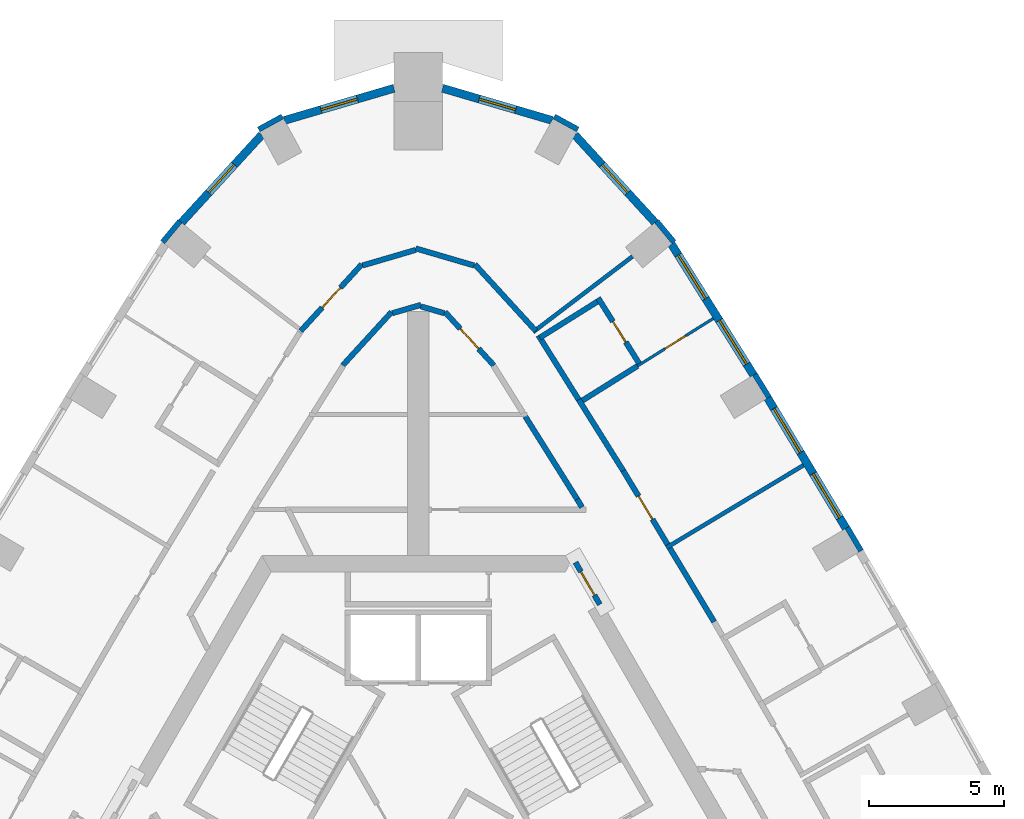
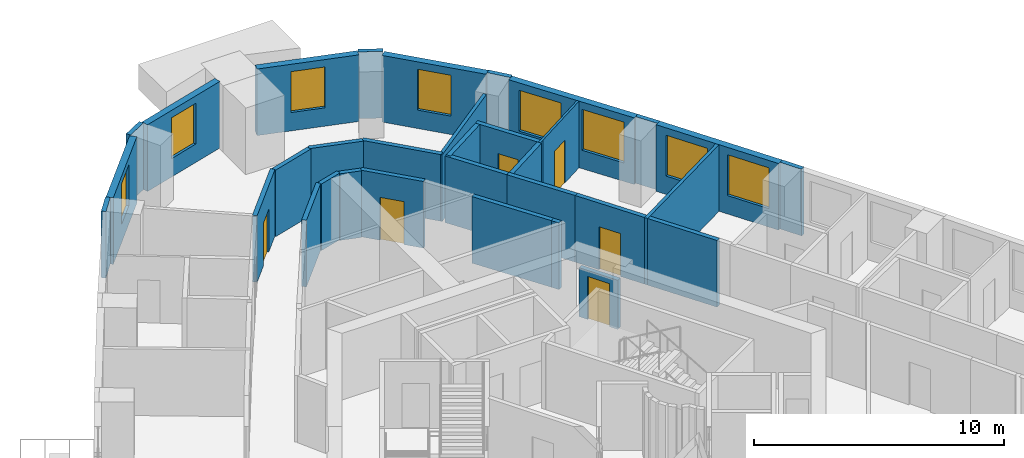
# One storey, part 9 of 13: 33 walls, 8 windows, 6 doors, 14 openings.
"""IFC4 building model written with IfcOpenShell, lengths in metres."""

from ifc_helpers import new_model, si_unit, direction, frame, frame_2d, origin, place, context, subcontext, project, spatial, rectangle, extrude, material, layer, layer_set, type_object, element, fill, save


model = new_model("IFC4")

# Units and contexts
model_context = context("Model", 3, precision=1e-05, world=origin(), true_north=direction((0.0, 1.0)))
body_context = subcontext(model_context, "Body", "Model", "MODEL_VIEW")
ifc_project = project(units=[si_unit("LENGTHUNIT", "METRE"), si_unit("AREAUNIT", "SQUARE_METRE"), si_unit("VOLUMEUNIT", "CUBIC_METRE"), si_unit("PLANEANGLEUNIT", "RADIAN"), si_unit("MASSUNIT", "GRAM", prefix="KILO")], contexts=[model_context])

# Site, building, storey
site_placement = place(None, origin())
site = spatial("IfcSite", under=ifc_project, at=site_placement, CompositionType="ELEMENT")
building_placement = place(site_placement, origin())
building = spatial("IfcBuilding", under=site, at=building_placement, Name="Entoto Arch Interchange Tower", CompositionType="ELEMENT")
storey_placement = place(building_placement, frame((0.0, 0.0, 270.199951171875)))
storey = spatial("IfcBuildingStorey", under=building, at=storey_placement, Name="L62", CompositionType="ELEMENT", Elevation=270.199951171875)

# Wall, opening, door
ifc_material_1 = material(Name="Reinforced concrete C40/50", Category="concrete")
ifc_layer_1 = layer(ifc_material_1, 0.199951171875)
ifc_layer_set_1 = layer_set([ifc_layer_1], Name="Reinforced concrete C40/50")
wall_type_1 = type_object("IfcWallType", Name="CORE GAP INFILL WALL", PredefinedType="PARTITIONING", material=ifc_layer_set_1)
wall_1_placement = place(storey_placement, frame((6.698974609375, 10.697021484375, 0.0), z_axis=(0.0, 0.0, 1.0), x_axis=(-0.499914839587, 0.866074565589, 0.0)))
wall_1 = element("IfcWall", 1, at=wall_1_placement, inside=storey, type_object=wall_type_1, Name="wall:L62:gap2", PredefinedType="PARTITIONING", context=body_context, shape_type="SweptSolid", body=[
    extrude(rectangle(XDim=1.794189453125, YDim=0.199951171875, at=frame_2d((0.89697265625, 0.0))), origin(), (0.0, 0.0, 1.0), 2.400146484375),
])
opening_1_placement = place(wall_1_placement, frame((0.39697265625, 0.0, 0.0)))
opening_1 = element("IfcOpeningElement", 2, at=opening_1_placement, cuts=wall_1, Name="Opening L62-D92", PredefinedType="OPENING", context=body_context, shape_type="SweptSolid", body=[
    extrude(rectangle(XDim=1.0, YDim=2.10009765625, at=frame_2d((0.5, 1.050048828125))), frame((0.0, 0.10986328125, 0.0), z_axis=(0.0, -1.0, 0.0), x_axis=(1.0, 0.0, 0.0)), (0.0, 0.0, 1.0), 0.219970703125),
])
ifc_material_2 = material(Name="Fire-rated Steel S235 door and frame", Category="steel")
door_type_1 = type_object("IfcDoorType", Name="DOOR FD-10 1000x2100", OperationType="SINGLE_SWING_LEFT", PredefinedType="DOOR", material=ifc_material_2)
door_1_placement = place(opening_1_placement, origin())
door_1 = element("IfcDoor", 3, at=door_1_placement, inside=storey, type_object=door_type_1, Name="door:L62:gap2", OperationType="SINGLE_SWING_LEFT", OverallHeight=2.10009765625, OverallWidth=1.0, PredefinedType="DOOR", context=body_context, shape_type="SweptSolid", body=[
    extrude(rectangle(XDim=1.0, YDim=2.10009765625, at=frame_2d((0.5, 1.050048828125))), frame((0.0, 0.02490234375, 0.0), z_axis=(0.0, -1.0, 0.0), x_axis=(1.0, 0.0, 0.0)), (0.0, 0.0, 1.0), 0.050048828125),
])
fill(opening_1, door_1)

ifc_material_3 = material(Name="Gypsum board partition on steel studs", Category="steel")
ifc_layer_2 = layer(ifc_material_3, 0.10009765625)
ifc_layer_set_2 = layer_set([ifc_layer_2], Name="Gypsum board partition on steel studs")
wall_type_2 = type_object("IfcWallType", Name="PARTITION 100", PredefinedType="PARTITIONING", material=ifc_layer_set_2)
wall_2_placement = place(storey_placement, frame((8.091064453125, 19.4990234375, 0.0), z_axis=(0.0, 0.0, 1.0), x_axis=(0.847249319986, 0.53119543464, 0.0)))
wall_2 = element("IfcWall", 4, at=wall_2_placement, inside=storey, type_object=wall_type_2, Name="wall:L62:p123", PredefinedType="PARTITIONING", context=body_context, shape_type="SweptSolid", body=[
    extrude(rectangle(XDim=3.300048828125, YDim=0.10009765625, at=frame_2d((1.64990234375, 0.0))), origin(), (0.0, 0.0, 1.0), 3.260009765625),
])
opening_2_placement = place(wall_2_placement, frame((1.199951171875, 0.0, 0.0)))
opening_2 = element("IfcOpeningElement", 5, at=opening_2_placement, cuts=wall_2, Name="Opening L62-D08", PredefinedType="OPENING", context=body_context, shape_type="SweptSolid", body=[
    extrude(rectangle(XDim=0.89990234375, YDim=2.10009765625, at=frame_2d((0.449951171875, 1.050048828125))), frame((0.0, 0.06005859375, 0.0), z_axis=(0.0, -1.0, 0.0), x_axis=(1.0, 0.0, 0.0)), (0.0, 0.0, 1.0), 0.1201171875),
])
ifc_material_4 = material(Name="Timber door leaf in Steel S235 frame", Category="steel")
door_type_2 = type_object("IfcDoorType", Name="DOOR DS-09 900x2100", OperationType="SINGLE_SWING_LEFT", PredefinedType="DOOR", material=ifc_material_4)
door_2_placement = place(opening_2_placement, origin())
door_2 = element("IfcDoor", 6, at=door_2_placement, inside=storey, type_object=door_type_2, Name="door:L62:08", OperationType="SINGLE_SWING_LEFT", OverallHeight=2.10009765625, OverallWidth=0.89990234375, PredefinedType="DOOR", context=body_context, shape_type="SweptSolid", body=[
    extrude(rectangle(XDim=0.89990234375, YDim=2.10009765625, at=frame_2d((0.449951171875, 1.050048828125))), frame((0.0, 0.02490234375, 0.0), z_axis=(0.0, -1.0, 0.0), x_axis=(1.0, 0.0, 0.0)), (0.0, 0.0, 1.0), 0.050048828125),
])
fill(opening_2, door_2)

# Walls
ifc_layer_3 = layer(ifc_material_3, 0.14990234375)
ifc_layer_set_3 = layer_set([ifc_layer_3], Name="Gypsum board partition on steel studs")
wall_type_3 = type_object("IfcWallType", Name="PARTITION 150", PredefinedType="PARTITIONING", material=ifc_layer_set_3)
wall_3_placement = place(storey_placement, frame((9.156982421875, 12.7919921875, 0.0), z_axis=(0.0, 0.0, 1.0), x_axis=(0.856933793276, 0.515426497129, 0.0)))
element("IfcWall", 7, at=wall_3_placement, inside=storey, type_object=wall_type_3, Name="wall:L62:p122", PredefinedType="PARTITIONING", context=body_context, shape_type="SweptSolid", body=[
    extrude(rectangle(XDim=5.89990234375, YDim=0.14990234375, at=frame_2d((2.949951171875, 0.0))), origin(), (0.0, 0.0, 1.0), 3.260009765625),
])
wall_4_placement = place(storey_placement, frame((4.238037109375, 20.7509765625, 0.0), z_axis=(0.0, 0.0, 1.0), x_axis=(0.795806473987, 0.605551034976, 0.0)))
element("IfcWall", 8, at=wall_4_placement, inside=storey, type_object=wall_type_3, Name="wall:L62:p127", PredefinedType="PARTITIONING", context=body_context, shape_type="SweptSolid", body=[
    extrude(rectangle(XDim=4.604248046875, YDim=0.14990234375, at=frame_2d((2.30224609375, 0.0))), origin(), (0.0, 0.0, 1.0), 3.260009765625),
])
ifc_layer_4 = layer(ifc_material_3, 0.199951171875)
ifc_layer_set_4 = layer_set([ifc_layer_4], Name="Gypsum board partition on steel studs")
wall_type_4 = type_object("IfcWallType", Name="PARTITION 200", PredefinedType="PARTITIONING", material=ifc_layer_set_4)
wall_5_placement = place(storey_placement, frame((6.041015625, 14.285888671875, 0.0), z_axis=(0.0, 0.0, 1.0), x_axis=(-0.513873647624, 0.857865883619, 0.0)))
element("IfcWall", 9, at=wall_5_placement, inside=storey, type_object=wall_type_4, Name="wall:L62:p010", PredefinedType="PARTITIONING", context=body_context, shape_type="SweptSolid", body=[
    extrude(rectangle(XDim=0.346435546875, YDim=0.199951171875, at=frame_2d((0.17333984375, 0.0))), origin(), (0.0, 0.0, 1.0), 3.260009765625),
])
wall_6_placement = place(storey_placement, frame((5.863037109375, 14.5830078125, 0.0), z_axis=(0.0, 0.0, 1.0), x_axis=(-0.531380509042, 0.847133256702, 0.0)))
element("IfcWall", 10, at=wall_6_placement, inside=storey, type_object=wall_type_4, Name="wall:L62:p011", PredefinedType="PARTITIONING", context=body_context, shape_type="SweptSolid", body=[
    extrude(rectangle(XDim=3.60400390625, YDim=0.199951171875, at=frame_2d((1.802001953125, 0.0))), origin(), (0.0, 0.0, 1.0), 3.260009765625),
])

# Wall, opening, door
wall_7_placement = place(storey_placement, frame((2.787109375, 19.52197265625, 0.0), z_axis=(0.0, 0.0, 1.0), x_axis=(-0.675132105979, 0.73769684795, 0.0)))
wall_7 = element("IfcWall", 11, at=wall_7_placement, inside=storey, type_object=wall_type_4, Name="wall:L62:p015", PredefinedType="PARTITIONING", context=body_context, shape_type="SweptSolid", body=[
    extrude(rectangle(XDim=2.669189453125, YDim=0.199951171875, at=frame_2d((1.33447265625, 0.0))), origin(), (0.0, 0.0, 1.0), 3.260009765625),
])
opening_3_placement = place(wall_7_placement, frame((0.8349609375, 0.0, 0.0)))
opening_3 = element("IfcOpeningElement", 12, at=opening_3_placement, cuts=wall_7, Name="Opening L62-D28", PredefinedType="OPENING", context=body_context, shape_type="SweptSolid", body=[
    extrude(rectangle(XDim=1.0, YDim=2.10009765625, at=frame_2d((0.5, 1.050048828125))), frame((0.0, 0.10986328125, 0.0), z_axis=(0.0, -1.0, 0.0), x_axis=(1.0, 0.0, 0.0)), (0.0, 0.0, 1.0), 0.219970703125),
])
door_type_3 = type_object("IfcDoorType", Name="DOOR DS-10 1000x2100", OperationType="SINGLE_SWING_LEFT", PredefinedType="DOOR", material=ifc_material_4)
door_3_placement = place(opening_3_placement, origin())
door_3 = element("IfcDoor", 13, at=door_3_placement, inside=storey, type_object=door_type_3, Name="door:L62:28", OperationType="SINGLE_SWING_LEFT", OverallHeight=2.10009765625, OverallWidth=1.0, PredefinedType="DOOR", context=body_context, shape_type="SweptSolid", body=[
    extrude(rectangle(XDim=1.0, YDim=2.10009765625, at=frame_2d((0.5, 1.050048828125))), frame((0.0, 0.02490234375, 0.0), z_axis=(0.0, -1.0, 0.0), x_axis=(1.0, 0.0, 0.0)), (0.0, 0.0, 1.0), 0.050048828125),
])
fill(opening_3, door_3)

# Walls
wall_8_placement = place(storey_placement, frame((0.95703125, 21.446044921875, 0.0), z_axis=(0.0, 0.0, 1.0), x_axis=(-0.959758875404, 0.28082539252, 0.0)))
element("IfcWall", 14, at=wall_8_placement, inside=storey, type_object=wall_type_4, Name="wall:L62:p016", PredefinedType="PARTITIONING", context=body_context, shape_type="SweptSolid", body=[
    extrude(rectangle(XDim=0.897216796875, YDim=0.199951171875, at=frame_2d((0.44873046875, 0.0))), origin(), (0.0, 0.0, 1.0), 3.260009765625),
])
wall_9_placement = place(storey_placement, frame((0.095947265625, 21.75390625, 0.0), z_axis=(0.0, 0.0, 1.0), x_axis=(-0.959817848073, -0.280623766849, 0.0)))
element("IfcWall", 15, at=wall_9_placement, inside=storey, type_object=wall_type_4, Name="wall:L62:p017", PredefinedType="PARTITIONING", context=body_context, shape_type="SweptSolid", body=[
    extrude(rectangle(XDim=1.09716796875, YDim=0.199951171875, at=frame_2d((0.548583984375, 0.0))), origin(), (0.0, 0.0, 1.0), 3.260009765625),
])
wall_10_placement = place(storey_placement, frame((-0.985107421875, 21.490966796875, 0.0), z_axis=(0.0, 0.0, 1.0), x_axis=(-0.675132105979, -0.73769684795, 0.0)))
element("IfcWall", 16, at=wall_10_placement, inside=storey, type_object=wall_type_4, Name="wall:L62:p018", PredefinedType="PARTITIONING", context=body_context, shape_type="SweptSolid", body=[
    extrude(rectangle(XDim=2.669189453125, YDim=0.199951171875, at=frame_2d((1.33447265625, 0.0))), origin(), (0.0, 0.0, 1.0), 3.260009765625),
])
wall_11_placement = place(storey_placement, frame((9.281005859375, 12.779052734375, 0.0), z_axis=(0.0, 0.0, 1.0), x_axis=(0.515568955032, -0.856848091908, 0.0)))
element("IfcWall", 17, at=wall_11_placement, inside=storey, type_object=wall_type_4, Name="wall:L62:p047", PredefinedType="PARTITIONING", context=body_context, shape_type="SweptSolid", body=[
    extrude(rectangle(XDim=3.177001953125, YDim=0.199951171875, at=frame_2d((1.58837890625, 0.0))), origin(), (0.0, 0.0, 1.0), 3.260009765625),
])
wall_12_placement = place(storey_placement, frame((5.919921875, 18.256103515625, 0.0), z_axis=(0.0, 0.0, 1.0), x_axis=(0.531152062518, -0.84727651123, 0.0)))
element("IfcWall", 18, at=wall_12_placement, inside=storey, type_object=wall_type_4, Name="wall:L62:p050", PredefinedType="PARTITIONING", context=body_context, shape_type="SweptSolid", body=[
    extrude(rectangle(XDim=3.100830078125, YDim=0.199951171875, at=frame_2d((1.55029296875, 0.0))), origin(), (0.0, 0.0, 1.0), 3.260009765625),
])

# Wall, opening, door
wall_13_placement = place(storey_placement, frame((7.56689453125, 15.62890625, 0.0), z_axis=(0.0, 0.0, 1.0), x_axis=(0.51556943596, -0.856847802532, 0.0)))
wall_13 = element("IfcWall", 19, at=wall_13_placement, inside=storey, type_object=wall_type_4, Name="wall:L62:p051", PredefinedType="PARTITIONING", context=body_context, shape_type="SweptSolid", body=[
    extrude(rectangle(XDim=3.175537109375, YDim=0.199951171875, at=frame_2d((1.587890625, 0.0))), origin(), (0.0, 0.0, 1.0), 3.260009765625),
])
opening_4_placement = place(wall_13_placement, frame((1.087890625, 0.0, 0.0)))
opening_4 = element("IfcOpeningElement", 20, at=opening_4_placement, cuts=wall_13, Name="Opening L62-D07", PredefinedType="OPENING", context=body_context, shape_type="SweptSolid", body=[
    extrude(rectangle(XDim=1.0, YDim=2.10009765625, at=frame_2d((0.5, 1.050048828125))), frame((0.0, 0.10986328125, 0.0), z_axis=(0.0, -1.0, 0.0), x_axis=(1.0, 0.0, 0.0)), (0.0, 0.0, 1.0), 0.219970703125),
])
door_4_placement = place(opening_4_placement, origin())
door_4 = element("IfcDoor", 21, at=door_4_placement, inside=storey, type_object=door_type_1, Name="door:L62:07", OperationType="SINGLE_SWING_RIGHT", OverallHeight=2.10009765625, OverallWidth=1.0, PredefinedType="DOOR", context=body_context, shape_type="SweptSolid", body=[
    extrude(rectangle(XDim=1.0, YDim=2.10009765625, at=frame_2d((0.5, 1.050048828125))), frame((0.0, 0.02490234375, 0.0), z_axis=(0.0, -1.0, 0.0), x_axis=(1.0, 0.0, 0.0)), (0.0, 0.0, 1.0), 0.050048828125),
])
fill(opening_4, door_4)

# Wall
wall_14_placement = place(storey_placement, frame((4.43310546875, 20.6279296875, 0.0), z_axis=(0.0, 0.0, 1.0), x_axis=(0.531135189756, -0.84728708842, 0.0)))
element("IfcWall", 22, at=wall_14_placement, inside=storey, type_object=wall_type_4, Name="wall:L62:p052", PredefinedType="PARTITIONING", context=body_context, shape_type="SweptSolid", body=[
    extrude(rectangle(XDim=2.79931640625, YDim=0.199951171875, at=frame_2d((1.399658203125, 0.0))), origin(), (0.0, 0.0, 1.0), 3.260009765625),
])

# Wall, opening, door
wall_15_placement = place(storey_placement, frame((-4.3349609375, 20.79296875, 0.0), z_axis=(0.0, 0.0, 1.0), x_axis=(0.675074517272, 0.737749548377, 0.0)))
wall_15 = element("IfcWall", 23, at=wall_15_placement, inside=storey, type_object=wall_type_4, Name="wall:L62:p053", PredefinedType="PARTITIONING", context=body_context, shape_type="SweptSolid", body=[
    extrude(rectangle(XDim=3.33447265625, YDim=0.199951171875, at=frame_2d((1.667236328125, 0.0))), origin(), (0.0, 0.0, 1.0), 3.260009765625),
])
opening_5_placement = place(wall_15_placement, frame((1.1669921875, 0.0, 0.0)))
opening_5 = element("IfcOpeningElement", 24, at=opening_5_placement, cuts=wall_15, Name="Opening L62-D21", PredefinedType="OPENING", context=body_context, shape_type="SweptSolid", body=[
    extrude(rectangle(XDim=1.0, YDim=2.10009765625, at=frame_2d((0.5, 1.050048828125))), frame((0.0, 0.10986328125, 0.0), z_axis=(0.0, -1.0, 0.0), x_axis=(1.0, 0.0, 0.0)), (0.0, 0.0, 1.0), 0.219970703125),
])
door_5_placement = place(opening_5_placement, origin())
door_5 = element("IfcDoor", 25, at=door_5_placement, inside=storey, type_object=door_type_3, Name="door:L62:21", OperationType="SINGLE_SWING_LEFT", OverallHeight=2.10009765625, OverallWidth=1.0, PredefinedType="DOOR", context=body_context, shape_type="SweptSolid", body=[
    extrude(rectangle(XDim=1.0, YDim=2.10009765625, at=frame_2d((0.5, 1.050048828125))), frame((0.0, 0.02490234375, 0.0), z_axis=(0.0, -1.0, 0.0), x_axis=(1.0, 0.0, 0.0)), (0.0, 0.0, 1.0), 0.050048828125),
])
fill(opening_5, door_5)

# Walls
wall_16_placement = place(storey_placement, frame((-2.054931640625, 23.2080078125, 0.0), z_axis=(0.0, 0.0, 1.0), x_axis=(0.959656367963, 0.281175488669, 0.0)))
element("IfcWall", 26, at=wall_16_placement, inside=storey, type_object=wall_type_4, Name="wall:L62:p054", PredefinedType="PARTITIONING", context=body_context, shape_type="SweptSolid", body=[
    extrude(rectangle(XDim=2.041259765625, YDim=0.199951171875, at=frame_2d((1.0205078125, 0.0))), origin(), (0.0, 0.0, 1.0), 3.260009765625),
])
wall_17_placement = place(storey_placement, frame((-0.095947265625, 23.837890625, 0.0), z_axis=(0.0, 0.0, 1.0), x_axis=(0.959694419707, -0.281045584886, 0.0)))
element("IfcWall", 27, at=wall_17_placement, inside=storey, type_object=wall_type_4, Name="wall:L62:p055", PredefinedType="PARTITIONING", context=body_context, shape_type="SweptSolid", body=[
    extrude(rectangle(XDim=2.2412109375, YDim=0.199951171875, at=frame_2d((1.12060546875, 0.0))), origin(), (0.0, 0.0, 1.0), 3.260009765625),
])
wall_18_placement = place(storey_placement, frame((2.083984375, 23.2529296875, 0.0), z_axis=(0.0, 0.0, 1.0), x_axis=(0.675074517272, -0.737749548377, 0.0)))
element("IfcWall", 28, at=wall_18_placement, inside=storey, type_object=wall_type_4, Name="wall:L62:p056", PredefinedType="PARTITIONING", context=body_context, shape_type="SweptSolid", body=[
    extrude(rectangle(XDim=3.33447265625, YDim=0.199951171875, at=frame_2d((1.667236328125, 0.0))), origin(), (0.0, 0.0, 1.0), 3.260009765625),
])
wall_19_placement = place(storey_placement, frame((6.05810546875, 18.22412109375, 0.0), z_axis=(0.0, 0.0, 1.0), x_axis=(0.847191403331, 0.531287799711, 0.0)))
element("IfcWall", 29, at=wall_19_placement, inside=storey, type_object=wall_type_4, Name="wall:L62:p124", PredefinedType="PARTITIONING", context=body_context, shape_type="SweptSolid", body=[
    extrude(rectangle(XDim=2.399658203125, YDim=0.199951171875, at=frame_2d((1.19970703125, 0.0))), origin(), (0.0, 0.0, 1.0), 3.260009765625),
])

# Wall, opening, door
wall_20_placement = place(storey_placement, frame((8.202880859375, 19.510009765625, 0.0), z_axis=(0.0, 0.0, 1.0), x_axis=(-0.531218552952, 0.847234825181, 0.0)))
wall_20 = element("IfcWall", 30, at=wall_20_placement, inside=storey, type_object=wall_type_4, Name="wall:L62:p125", PredefinedType="PARTITIONING", context=body_context, shape_type="SweptSolid", body=[
    extrude(rectangle(XDim=2.94970703125, YDim=0.199951171875, at=frame_2d((1.474853515625, 0.0))), origin(), (0.0, 0.0, 1.0), 3.260009765625),
])
opening_6_placement = place(wall_20_placement, frame((1.02490234375, 0.0, 0.0)))
opening_6 = element("IfcOpeningElement", 31, at=opening_6_placement, cuts=wall_20, Name="Opening L62-D09", PredefinedType="OPENING", context=body_context, shape_type="SweptSolid", body=[
    extrude(rectangle(XDim=0.89990234375, YDim=2.10009765625, at=frame_2d((0.449951171875, 1.050048828125))), frame((0.0, 0.10986328125, 0.0), z_axis=(0.0, -1.0, 0.0), x_axis=(1.0, 0.0, 0.0)), (0.0, 0.0, 1.0), 0.219970703125),
])
door_6_placement = place(opening_6_placement, origin())
door_6 = element("IfcDoor", 32, at=door_6_placement, inside=storey, type_object=door_type_2, Name="door:L62:09", OperationType="SINGLE_SWING_RIGHT", OverallHeight=2.10009765625, OverallWidth=0.89990234375, PredefinedType="DOOR", context=body_context, shape_type="SweptSolid", body=[
    extrude(rectangle(XDim=0.89990234375, YDim=2.10009765625, at=frame_2d((0.449951171875, 1.050048828125))), frame((0.0, 0.02490234375, 0.0), z_axis=(0.0, -1.0, 0.0), x_axis=(1.0, 0.0, 0.0)), (0.0, 0.0, 1.0), 0.050048828125),
])
fill(opening_6, door_6)

# Wall
wall_21_placement = place(storey_placement, frame((6.60400390625, 21.87109375, 0.0), z_axis=(0.0, 0.0, 1.0), x_axis=(-0.847377617561, -0.530990746866, 0.0)))
element("IfcWall", 33, at=wall_21_placement, inside=storey, type_object=wall_type_4, Name="wall:L62:p126", PredefinedType="PARTITIONING", context=body_context, shape_type="SweptSolid", body=[
    extrude(rectangle(XDim=2.499267578125, YDim=0.199951171875, at=frame_2d((1.24951171875, 0.0))), origin(), (0.0, 0.0, 1.0), 3.260009765625),
])

# Wall, openings, windows
ifc_material_5 = material(Name="Welded tuff (ignimbrite) cladding, warm buff", Category="masonry")
ifc_layer_5 = layer(ifc_material_5, 0.300048828125)
ifc_layer_set_5 = layer_set([ifc_layer_5], Name="Welded tuff (ignimbrite) cladding, warm buff")
wall_type_5 = type_object("IfcWallType", Name="STONE INFILL WALL 300", PredefinedType="STANDARD", material=ifc_layer_set_5)
wall_22_placement = place(storey_placement, frame((15.7880859375, 13.506103515625, 0.0), z_axis=(0.0, 0.0, 1.0), x_axis=(-0.515435742129, 0.856928232547, 0.0)))
wall_22 = element("IfcWall", 34, at=wall_22_placement, inside=storey, type_object=wall_type_5, Name="Facade wall NE-04 L62", PredefinedType="STANDARD", context=body_context, shape_type="SweptSolid", body=[
    extrude(rectangle(XDim=5.61279296875, YDim=0.300048828125, at=frame_2d((2.806396484375, 0.0))), origin(), (0.0, 0.0, 1.0), 3.260009765625),
])
opening_7_placement = place(wall_22_placement, frame((0.452880859375, 0.0, 0.89990234375)))
opening_7 = element("IfcOpeningElement", 35, at=opening_7_placement, cuts=wall_22, Name="Opening WH-C", PredefinedType="OPENING", context=body_context, shape_type="SweptSolid", body=[
    extrude(rectangle(XDim=1.89990234375, YDim=2.0, at=frame_2d((0.949951171875, 1.0))), frame((0.0, 0.16015625, 0.0), z_axis=(0.0, -1.0, 0.0), x_axis=(1.0, 0.0, 0.0)), (0.0, 0.0, 1.0), 0.320068359375),
])
opening_8_placement = place(wall_22_placement, frame((3.260009765625, 0.0, 0.89990234375)))
opening_8 = element("IfcOpeningElement", 36, at=opening_8_placement, cuts=wall_22, Name="Opening WH-C", PredefinedType="OPENING", context=body_context, shape_type="SweptSolid", body=[
    extrude(rectangle(XDim=1.89990234375, YDim=2.0, at=frame_2d((0.949951171875, 1.0))), frame((0.0, 0.16015625, 0.0), z_axis=(0.0, -1.0, 0.0), x_axis=(1.0, 0.0, 0.0)), (0.0, 0.0, 1.0), 0.320068359375),
])
ifc_material_6 = material(Name="Clear glass, low-e double glazed", Category="glass")
window_type_1 = type_object("IfcWindowType", Name="WINDOW WH-C 1900x2000", PartitioningType="DOUBLE_PANEL_VERTICAL", PredefinedType="WINDOW", material=ifc_material_6)
window_1_placement = place(opening_7_placement, origin())
window_1 = element("IfcWindow", 37, at=window_1_placement, inside=storey, type_object=window_type_1, Name="Window WH-C NE-04 L62", OverallHeight=2.0, OverallWidth=1.89990234375, PartitioningType="SINGLE_PANEL", PredefinedType="WINDOW", context=body_context, shape_type="SweptSolid", body=[
    extrude(rectangle(XDim=1.89990234375, YDim=2.0, at=frame_2d((0.949951171875, 1.0))), frame((0.0, 0.030029296875, 0.0), z_axis=(0.0, -1.0, 0.0), x_axis=(1.0, 0.0, 0.0)), (0.0, 0.0, 1.0), 0.06005859375),
])
fill(opening_7, window_1)
window_2_placement = place(opening_8_placement, origin())
window_2 = element("IfcWindow", 38, at=window_2_placement, inside=storey, type_object=window_type_1, Name="Window WH-C NE-04 L62", OverallHeight=2.0, OverallWidth=1.89990234375, PartitioningType="SINGLE_PANEL", PredefinedType="WINDOW", context=body_context, shape_type="SweptSolid", body=[
    extrude(rectangle(XDim=1.89990234375, YDim=2.0, at=frame_2d((0.949951171875, 1.0))), frame((0.0, 0.030029296875, 0.0), z_axis=(0.0, -1.0, 0.0), x_axis=(1.0, 0.0, 0.0)), (0.0, 0.0, 1.0), 0.06005859375),
])
fill(opening_8, window_2)

wall_23_placement = place(storey_placement, frame((12.3720703125, 19.166015625, 0.0), z_axis=(0.0, 0.0, 1.0), x_axis=(-0.531137483242, 0.847285650708, 0.0)))
wall_23 = element("IfcWall", 39, at=wall_23_placement, inside=storey, type_object=wall_type_5, Name="Facade wall NE-05 L62", PredefinedType="STANDARD", context=body_context, shape_type="SweptSolid", body=[
    extrude(rectangle(XDim=5.702880859375, YDim=0.300048828125, at=frame_2d((2.8515625, 0.0))), origin(), (0.0, 0.0, 1.0), 3.260009765625),
])
opening_9_placement = place(wall_23_placement, frame((0.47607421875, 0.0, 0.89990234375)))
opening_9 = element("IfcOpeningElement", 40, at=opening_9_placement, cuts=wall_23, Name="Opening WH-C", PredefinedType="OPENING", context=body_context, shape_type="SweptSolid", body=[
    extrude(rectangle(XDim=1.89990234375, YDim=2.0, at=frame_2d((0.949951171875, 1.0))), frame((0.0, 0.16015625, 0.0), z_axis=(0.0, -1.0, 0.0), x_axis=(1.0, 0.0, 0.0)), (0.0, 0.0, 1.0), 0.320068359375),
])
opening_10_placement = place(wall_23_placement, frame((3.326904296875, 0.0, 0.89990234375)))
opening_10 = element("IfcOpeningElement", 41, at=opening_10_placement, cuts=wall_23, Name="Opening WH-C", PredefinedType="OPENING", context=body_context, shape_type="SweptSolid", body=[
    extrude(rectangle(XDim=1.89990234375, YDim=2.0, at=frame_2d((0.949951171875, 1.0))), frame((0.0, 0.16015625, 0.0), z_axis=(0.0, -1.0, 0.0), x_axis=(1.0, 0.0, 0.0)), (0.0, 0.0, 1.0), 0.320068359375),
])
window_3_placement = place(opening_9_placement, origin())
window_3 = element("IfcWindow", 42, at=window_3_placement, inside=storey, type_object=window_type_1, Name="Window WH-C NE-05 L62", OverallHeight=2.0, OverallWidth=1.89990234375, PartitioningType="SINGLE_PANEL", PredefinedType="WINDOW", context=body_context, shape_type="SweptSolid", body=[
    extrude(rectangle(XDim=1.89990234375, YDim=2.0, at=frame_2d((0.949951171875, 1.0))), frame((0.0, 0.030029296875, 0.0), z_axis=(0.0, -1.0, 0.0), x_axis=(1.0, 0.0, 0.0)), (0.0, 0.0, 1.0), 0.06005859375),
])
fill(opening_9, window_3)
window_4_placement = place(opening_10_placement, origin())
window_4 = element("IfcWindow", 43, at=window_4_placement, inside=storey, type_object=window_type_1, Name="Window WH-C NE-05 L62", OverallHeight=2.0, OverallWidth=1.89990234375, PartitioningType="SINGLE_PANEL", PredefinedType="WINDOW", context=body_context, shape_type="SweptSolid", body=[
    extrude(rectangle(XDim=1.89990234375, YDim=2.0, at=frame_2d((0.949951171875, 1.0))), frame((0.0, 0.030029296875, 0.0), z_axis=(0.0, -1.0, 0.0), x_axis=(1.0, 0.0, 0.0)), (0.0, 0.0, 1.0), 0.06005859375),
])
fill(opening_10, window_4)

# Wall, opening, window
wall_24_placement = place(storey_placement, frame((8.739013671875, 24.7939453125, 0.0), z_axis=(0.0, 0.0, 1.0), x_axis=(-0.675143863554, 0.737686087374, 0.0)))
wall_24 = element("IfcWall", 44, at=wall_24_placement, inside=storey, type_object=wall_type_5, Name="Facade wall N-01 L62", PredefinedType="STANDARD", context=body_context, shape_type="SweptSolid", body=[
    extrude(rectangle(XDim=4.3798828125, YDim=0.300048828125, at=frame_2d((2.18994140625, 0.0))), origin(), (0.0, 0.0, 1.0), 3.260009765625),
])
opening_11_placement = place(wall_24_placement, frame((1.489990234375, 0.0, 0.89990234375)))
opening_11 = element("IfcOpeningElement", 45, at=opening_11_placement, cuts=wall_24, Name="Opening WH-B", PredefinedType="OPENING", context=body_context, shape_type="SweptSolid", body=[
    extrude(rectangle(XDim=1.39990234375, YDim=2.0, at=frame_2d((0.699951171875, 1.0))), frame((0.0, 0.16015625, 0.0), z_axis=(0.0, -1.0, 0.0), x_axis=(1.0, 0.0, 0.0)), (0.0, 0.0, 1.0), 0.320068359375),
])
window_type_2 = type_object("IfcWindowType", Name="WINDOW WH-B 1400x2000", PartitioningType="DOUBLE_PANEL_VERTICAL", PredefinedType="WINDOW", material=ifc_material_6)
window_5_placement = place(opening_11_placement, origin())
window_5 = element("IfcWindow", 46, at=window_5_placement, inside=storey, type_object=window_type_2, Name="Window WH-B N-01 L62", OverallHeight=2.0, OverallWidth=1.39990234375, PartitioningType="SINGLE_PANEL", PredefinedType="WINDOW", context=body_context, shape_type="SweptSolid", body=[
    extrude(rectangle(XDim=1.39990234375, YDim=2.0, at=frame_2d((0.699951171875, 1.0))), frame((0.0, 0.030029296875, 0.0), z_axis=(0.0, -1.0, 0.0), x_axis=(1.0, 0.0, 0.0)), (0.0, 0.0, 1.0), 0.06005859375),
])
fill(opening_11, window_5)

wall_25_placement = place(storey_placement, frame((4.93896484375, 28.56298828125, 0.0), z_axis=(0.0, 0.0, 1.0), x_axis=(-0.959632861734, 0.281255703373, 0.0)))
wall_25 = element("IfcWall", 47, at=wall_25_placement, inside=storey, type_object=wall_type_5, Name="Facade wall N-02 L62", PredefinedType="STANDARD", context=body_context, shape_type="SweptSolid", body=[
    extrude(rectangle(XDim=4.2099609375, YDim=0.300048828125, at=frame_2d((2.10498046875, 0.0))), origin(), (0.0, 0.0, 1.0), 3.260009765625),
])
opening_12_placement = place(wall_25_placement, frame((1.405029296875, 0.0, 0.89990234375)))
opening_12 = element("IfcOpeningElement", 48, at=opening_12_placement, cuts=wall_25, Name="Opening WH-B", PredefinedType="OPENING", context=body_context, shape_type="SweptSolid", body=[
    extrude(rectangle(XDim=1.39990234375, YDim=2.0, at=frame_2d((0.699951171875, 1.0))), frame((0.0, 0.16015625, 0.0), z_axis=(0.0, -1.0, 0.0), x_axis=(1.0, 0.0, 0.0)), (0.0, 0.0, 1.0), 0.320068359375),
])
window_6_placement = place(opening_12_placement, origin())
window_6 = element("IfcWindow", 49, at=window_6_placement, inside=storey, type_object=window_type_2, Name="Window WH-B N-02 L62", OverallHeight=2.0, OverallWidth=1.39990234375, PartitioningType="SINGLE_PANEL", PredefinedType="WINDOW", context=body_context, shape_type="SweptSolid", body=[
    extrude(rectangle(XDim=1.39990234375, YDim=2.0, at=frame_2d((0.699951171875, 1.0))), frame((0.0, 0.030029296875, 0.0), z_axis=(0.0, -1.0, 0.0), x_axis=(1.0, 0.0, 0.0)), (0.0, 0.0, 1.0), 0.06005859375),
])
fill(opening_12, window_6)

wall_26_placement = place(storey_placement, frame((-0.89892578125, 29.7470703125, 0.0), z_axis=(0.0, 0.0, 1.0), x_axis=(-0.959632861734, -0.281255703373, 0.0)))
wall_26 = element("IfcWall", 50, at=wall_26_placement, inside=storey, type_object=wall_type_5, Name="Facade wall N-03 L62", PredefinedType="STANDARD", context=body_context, shape_type="SweptSolid", body=[
    extrude(rectangle(XDim=4.2099609375, YDim=0.300048828125, at=frame_2d((2.10498046875, 0.0))), origin(), (0.0, 0.0, 1.0), 3.260009765625),
])
opening_13_placement = place(wall_26_placement, frame((1.405029296875, 0.0, 0.89990234375)))
opening_13 = element("IfcOpeningElement", 51, at=opening_13_placement, cuts=wall_26, Name="Opening WH-B", PredefinedType="OPENING", context=body_context, shape_type="SweptSolid", body=[
    extrude(rectangle(XDim=1.39990234375, YDim=2.0, at=frame_2d((0.699951171875, 1.0))), frame((0.0, 0.16015625, 0.0), z_axis=(0.0, -1.0, 0.0), x_axis=(1.0, 0.0, 0.0)), (0.0, 0.0, 1.0), 0.320068359375),
])
window_7_placement = place(opening_13_placement, origin())
window_7 = element("IfcWindow", 52, at=window_7_placement, inside=storey, type_object=window_type_2, Name="Window WH-B N-03 L62", OverallHeight=2.0, OverallWidth=1.39990234375, PartitioningType="SINGLE_PANEL", PredefinedType="WINDOW", context=body_context, shape_type="SweptSolid", body=[
    extrude(rectangle(XDim=1.39990234375, YDim=2.0, at=frame_2d((0.699951171875, 1.0))), frame((0.0, 0.030029296875, 0.0), z_axis=(0.0, -1.0, 0.0), x_axis=(1.0, 0.0, 0.0)), (0.0, 0.0, 1.0), 0.06005859375),
])
fill(opening_13, window_7)

wall_27_placement = place(storey_placement, frame((-5.781982421875, 28.02490234375, 0.0), z_axis=(0.0, 0.0, 1.0), x_axis=(-0.675143863554, -0.737686087374, 0.0)))
wall_27 = element("IfcWall", 53, at=wall_27_placement, inside=storey, type_object=wall_type_5, Name="Facade wall N-04 L62", PredefinedType="STANDARD", context=body_context, shape_type="SweptSolid", body=[
    extrude(rectangle(XDim=4.3798828125, YDim=0.300048828125, at=frame_2d((2.18994140625, 0.0))), origin(), (0.0, 0.0, 1.0), 3.260009765625),
])
opening_14_placement = place(wall_27_placement, frame((1.489990234375, 0.0, 0.89990234375)))
opening_14 = element("IfcOpeningElement", 54, at=opening_14_placement, cuts=wall_27, Name="Opening WH-B", PredefinedType="OPENING", context=body_context, shape_type="SweptSolid", body=[
    extrude(rectangle(XDim=1.39990234375, YDim=2.0, at=frame_2d((0.699951171875, 1.0))), frame((0.0, 0.16015625, 0.0), z_axis=(0.0, -1.0, 0.0), x_axis=(1.0, 0.0, 0.0)), (0.0, 0.0, 1.0), 0.320068359375),
])
window_8_placement = place(opening_14_placement, origin())
window_8 = element("IfcWindow", 55, at=window_8_placement, inside=storey, type_object=window_type_2, Name="Window WH-B N-04 L62", OverallHeight=2.0, OverallWidth=1.39990234375, PartitioningType="SINGLE_PANEL", PredefinedType="WINDOW", context=body_context, shape_type="SweptSolid", body=[
    extrude(rectangle(XDim=1.39990234375, YDim=2.0, at=frame_2d((0.699951171875, 1.0))), frame((0.0, 0.030029296875, 0.0), z_axis=(0.0, -1.0, 0.0), x_axis=(1.0, 0.0, 0.0)), (0.0, 0.0, 1.0), 0.06005859375),
])
fill(opening_14, window_8)

# Walls
ifc_layer_6 = layer(ifc_material_5, 0.199951171875)
ifc_layer_set_6 = layer_set([ifc_layer_6], Name="Welded tuff (ignimbrite) cladding, warm buff")
wall_type_6 = type_object("IfcWallType", Name="STONE PIER CLADDING 200", PredefinedType="STANDARD", material=ifc_layer_set_6)
for number, where, z_axis, x_axis, name in (
    (56, (5.89306640625, 28.22705078125, 0.0), (0.0, 0.0, 1.0), (-0.878305841364, 0.478099204168, 0.0), "Stone pier N1 L62"),
    (57, (-5.014892578125, 28.705078125, 0.0), (0.0, 0.0, 1.0), (-0.878305841364, -0.478099204168, 0.0), "Stone pier N3 L62"),
):
    element("IfcWall", number, at=place(storey_placement, frame(where, z_axis=z_axis, x_axis=x_axis)), inside=storey, type_object=wall_type_6, Name=name, PredefinedType="STANDARD", context=body_context, shape_type="SweptSolid", body=[
        extrude(rectangle(XDim=0.999755859375, YDim=0.199951171875, at=frame_2d((0.5, 0.0))), origin(), (0.0, 0.0, 1.0), 3.260009765625),
    ])
wall_28_placement = place(storey_placement, frame((16.342041015625, 12.674072265625, 0.0), z_axis=(0.0, 0.0, 1.0), x_axis=(-0.508268432768, 0.861198699634, 0.0)))
element("IfcWall", 58, at=wall_28_placement, inside=storey, type_object=wall_type_6, Name="Stone pier NE04 L62", PredefinedType="STANDARD", context=body_context, shape_type="SweptSolid", body=[
    extrude(rectangle(XDim=0.99951171875, YDim=0.199951171875, at=frame_2d((0.499755859375, 0.0))), origin(), (0.0, 0.0, 1.0), 3.260009765625),
])
wall_29_placement = place(storey_placement, frame((12.943115234375, 18.343994140625, 0.0), z_axis=(0.0, 0.0, 1.0), x_axis=(-0.525825307325, 0.850592585306, 0.0)))
element("IfcWall", 59, at=wall_29_placement, inside=storey, type_object=wall_type_6, Name="Stone pier NE05 L62", PredefinedType="STANDARD", context=body_context, shape_type="SweptSolid", body=[
    extrude(rectangle(XDim=1.00048828125, YDim=0.199951171875, at=frame_2d((0.500244140625, 0.0))), origin(), (0.0, 0.0, 1.0), 3.260009765625),
])
for number, where, z_axis, x_axis, name in (
    (60, (9.43408203125, 24.072021484375, 0.0), (0.0, 0.0, 1.0), (-0.638117112481, 0.769939316283, 0.0), "Stone pier NE06 L62"),
    (61, (-8.7958984375, 24.842041015625, 0.0), (0.0, 0.0, 1.0), (-0.638117112481, -0.769939316283, 0.0), "Stone pier NW01 L62"),
):
    element("IfcWall", number, at=place(storey_placement, frame(where, z_axis=z_axis, x_axis=x_axis)), inside=storey, type_object=wall_type_6, Name=name, PredefinedType="STANDARD", context=body_context, shape_type="SweptSolid", body=[
        extrude(rectangle(XDim=1.0, YDim=0.199951171875, at=frame_2d((0.5, 0.0))), origin(), (0.0, 0.0, 1.0), 3.260009765625),
    ])

save(model, "model.ifc")
